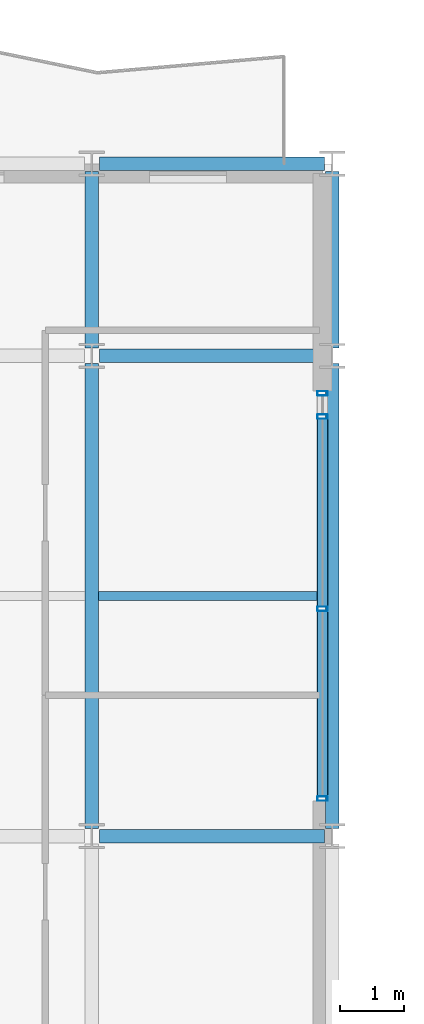
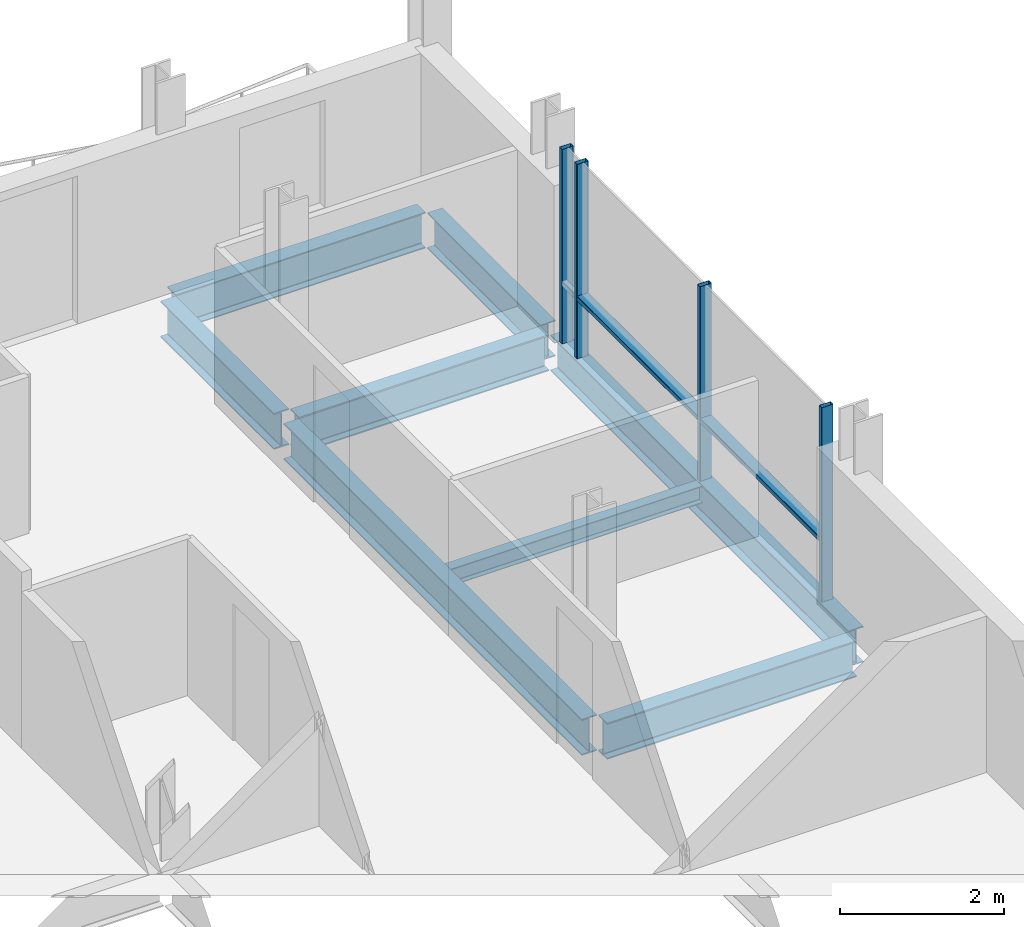
# One storey, part 8 of 28: 8 beams, 6 members, 1 element without a shape of its own.
"""IFC4 building model written with IfcOpenShell, lengths in metres."""

import ifcopenshell
import ifcopenshell.guid

model = None  # the IFC model being written
_history = None  # IfcOwnerHistory: only IFC2X3 demands one
_inside = {}  # id of a spatial element -> (the spatial element, [elements in it])
_under = {}  # id of a project, library or spatial element -> (it, [spatial elements below it])
_declared = {}  # id of a project -> (the project, [libraries it declares])
_typed = {}  # id of a type object -> (the type object, [elements of that type])
_made_of = {}  # id of a material, layer set ... -> (it, [elements and type objects made of it])


def new_model(schema):
    """Start an empty IFC model of exactly this schema.

    Asked for "IFC4X3", IfcOpenShell would pick the latest addendum, in which some entities
    have other attributes; the version numbers below select the first issue.
    IFC2X3 requires an IfcOwnerHistory on every rooted entity: one is made here for all.
    """
    global model, _history
    if schema == "IFC4X3":
        model = ifcopenshell.file(schema_version=(4, 3, 0, 0))
    else:
        model = ifcopenshell.file(schema=schema)
    _inside.clear()
    _under.clear()
    _declared.clear()
    _typed.clear()
    _made_of.clear()
    _history = None
    if model.schema == "IFC2X3":
        org = make("IfcOrganization", Name="unknown")
        user = make(
            "IfcPersonAndOrganization",
            ThePerson=make("IfcPerson", FamilyName="unknown"),
            TheOrganization=org,
        )
        app = make(
            "IfcApplication",
            ApplicationDeveloper=org,
            Version="unknown",
            ApplicationFullName="unknown",
            ApplicationIdentifier="unknown",
        )
        _history = make(
            "IfcOwnerHistory",
            OwningUser=user,
            OwningApplication=app,
            ChangeAction="ADDED",
            CreationDate=0,
        )
    return model


def make(cls, **values):
    """One entity of the class cls with the attributes given. An attribute that is None is left unset."""
    return model.create_entity(
        cls, **{name: value for name, value in values.items() if value is not None}
    )


def rooted(cls, **values):
    """An entity with a GlobalId (a new one), such as an element, a storey or a relation."""
    return make(cls, GlobalId=ifcopenshell.guid.new(), OwnerHistory=_history, **values)


def si_unit(unit_type, name, prefix=None):
    """IfcSIUnit, for example si_unit("LENGTHUNIT", "METRE", prefix="MILLI")."""
    return make("IfcSIUnit", UnitType=unit_type, Prefix=prefix, Name=name)


def assignment(units):
    """IfcUnitAssignment: the units of a project."""
    return None if units is None else make("IfcUnitAssignment", Units=units)


def point(xyz):
    """IfcCartesianPoint."""
    return None if xyz is None else make("IfcCartesianPoint", Coordinates=xyz)


def direction(xyz):
    """IfcDirection."""
    return None if xyz is None else make("IfcDirection", DirectionRatios=xyz)


def frame(location, z_axis=None, x_axis=None):
    """IfcAxis2Placement3D, a coordinate frame: its origin and axes. An axis left out is left unset."""
    return make(
        "IfcAxis2Placement3D",
        Location=point(location),
        Axis=direction(z_axis),
        RefDirection=direction(x_axis),
    )


def frame_2d(location, x_axis=None):
    """IfcAxis2Placement2D, a coordinate frame in the plane: its origin and x axis."""
    return make(
        "IfcAxis2Placement2D", Location=point(location), RefDirection=direction(x_axis)
    )


def origin():
    """The frame at (0, 0, 0) with its axes left unset."""
    return frame((0.0, 0.0, 0.0))


def origin_2d():
    """The frame at (0, 0) in the plane with its x axis left unset."""
    return frame_2d((0.0, 0.0))


def place(relative_to, where):
    """IfcLocalPlacement: puts the frame where relative to a parent placement (None: the world)."""
    return make(
        "IfcLocalPlacement", PlacementRelTo=relative_to, RelativePlacement=where
    )


def context(
    kind, dimensions, precision=None, world=None, true_north=None, identifier=None
):
    """IfcGeometricRepresentationContext, for example the 3D "Model" context."""
    return make(
        "IfcGeometricRepresentationContext",
        ContextIdentifier=identifier,
        ContextType=kind,
        CoordinateSpaceDimension=dimensions,
        Precision=precision,
        WorldCoordinateSystem=world,
        TrueNorth=true_north,
    )


def subcontext(parent, identifier, kind, view, scale=None):
    """IfcGeometricRepresentationSubContext, for example "Body" below "Model"."""
    return make(
        "IfcGeometricRepresentationSubContext",
        ContextIdentifier=identifier,
        ContextType=kind,
        ParentContext=parent,
        TargetScale=scale,
        TargetView=view,
    )


def project(units=None, contexts=None):
    """IfcProject with its units and contexts."""
    return rooted(
        "IfcProject",
        Name="project",
        RepresentationContexts=contexts,
        UnitsInContext=assignment(units),
    )


def spatial(cls, under=None, at=None, **own):
    """A site, building, storey or space (cls), placed at a placement, below another one or the project."""
    s = rooted(cls, ObjectPlacement=at, **own)
    if under is not None:
        _under.setdefault(under.id(), (under, []))[1].append(s)
    return s


def profile(cls, at=None, kind="AREA", **sizes):
    """A parametric profile (cls). Its sizes go by their IFC names, for example OverallWidth=200.0."""
    return make(cls, ProfileType=kind, Position=at, **sizes)


def hollow_rectangle(**sizes):
    """IfcRectangleHollowProfileDef."""
    return profile("IfcRectangleHollowProfileDef", **sizes)


def i_section(**sizes):
    """IfcIShapeProfileDef."""
    return profile("IfcIShapeProfileDef", **sizes)


def extrude(swept, where, along, depth):
    """IfcExtrudedAreaSolid: the profile swept, set in the frame where, extruded along a direction by depth."""
    return make(
        "IfcExtrudedAreaSolid",
        SweptArea=swept,
        Position=where,
        ExtrudedDirection=direction(along),
        Depth=depth,
    )


def shape(context_of_items, identifier, shape_type, items):
    """IfcShapeRepresentation: the items that make up one representation, for example the "Body"."""
    return make(
        "IfcShapeRepresentation",
        ContextOfItems=context_of_items,
        RepresentationIdentifier=identifier,
        RepresentationType=shape_type,
        Items=items,
    )


def material(Name=None, Category=None):
    """IfcMaterial."""
    return make("IfcMaterial", Name=Name, Category=Category)


def layer(
    of_material, thickness, ventilated=None, Name=None, Category=None, Priority=None
):
    """IfcMaterialLayer: one layer of a wall or slab, of a material (None: an air gap)."""
    return make(
        "IfcMaterialLayer",
        Material=of_material,
        LayerThickness=thickness,
        IsVentilated=ventilated,
        Name=Name,
        Category=Category,
        Priority=Priority,
    )


def layer_set(layers, Name=None):
    """IfcMaterialLayerSet."""
    return make("IfcMaterialLayerSet", MaterialLayers=layers, LayerSetName=Name)


def material_profile(
    of_material, cross_section, Name=None, Category=None, Priority=None
):
    """IfcMaterialProfile: a cross section and its material."""
    return make(
        "IfcMaterialProfile",
        Name=Name,
        Material=of_material,
        Profile=cross_section,
        Priority=Priority,
        Category=Category,
    )


def profile_set(profiles, Name=None, composite=None):
    """IfcMaterialProfileSet."""
    return make(
        "IfcMaterialProfileSet",
        Name=Name,
        MaterialProfiles=profiles,
        CompositeProfile=composite,
    )


def made_of(thing, what):
    """Note that an element or type object is made of a material, layer set ...; save() writes the relation."""
    if what is not None:
        _made_of.setdefault(what.id(), (what, []))[1].append(thing)
    return thing


def type_object(cls, material=None, **own):
    """A type object (cls), such as IfcWallType, which elements share."""
    return made_of(rooted(cls, **own), material)


def element(
    cls,
    number,
    at=None,
    inside=None,
    cuts=None,
    type_object=None,
    material=None,
    context=None,
    identifier="Body",
    shape_type=None,
    held_by="IfcProductDefinitionShape",
    body=None,
    shapes=None,
    **own,
):
    """One element of the class cls, such as IfcWall. Its Tag is "e" and its number.

    at: its placement. inside: the storey or other place that contains it. cuts: it is an
    opening in that element (IfcRelVoidsElement). A single representation is given by context,
    identifier, shape_type and body (its items); several are given by shapes. held_by: the class
    of the entity that holds the representations. save() writes the other relations.
    """
    e = rooted(cls, Tag="e%d" % number, ObjectPlacement=at, **own)
    if body is not None:
        shapes = [shape(context, identifier, shape_type, body)]
    if shapes is not None:
        e.Representation = make(held_by, Representations=shapes)
    if inside is not None:
        _inside.setdefault(inside.id(), (inside, []))[1].append(e)
    if cuts is not None:
        rooted(
            "IfcRelVoidsElement", RelatingBuildingElement=cuts, RelatedOpeningElement=e
        )
    if type_object is not None:
        _typed.setdefault(type_object.id(), (type_object, []))[1].append(e)
    return made_of(e, material)


def aggregate(whole, parts):
    """IfcRelAggregates: a whole, such as a stair, and the parts it consists of."""
    return rooted("IfcRelAggregates", RelatingObject=whole, RelatedObjects=parts)


def save(model, path):
    """Write the relations noted so far, then the file.

    IfcRelAggregates (storeys below a building ...), IfcRelContainedInSpatialStructure (elements
    in a storey), IfcRelDefinesByType, IfcRelAssociatesMaterial and IfcRelDeclares: one each for
    every whole, place, type object, material and project.
    """
    for whole, parts in _under.values():
        aggregate(whole, parts)
    for where, things in _inside.values():
        rooted(
            "IfcRelContainedInSpatialStructure",
            RelatedElements=things,
            RelatingStructure=where,
        )
    for kind, things in _typed.values():
        rooted("IfcRelDefinesByType", RelatedObjects=things, RelatingType=kind)
    for what, things in _made_of.values():
        rooted("IfcRelAssociatesMaterial", RelatedObjects=things, RelatingMaterial=what)
    for by, libraries in _declared.values():
        rooted("IfcRelDeclares", RelatingContext=by, RelatedDefinitions=libraries)
    model.write(path)


model = new_model("IFC4")

# Units and contexts
model_context = context("Model", 3, precision=1e-05, world=origin(), true_north=direction((0.0, 1.0)))
body_context = subcontext(model_context, "Body", "Model", "MODEL_VIEW")
ifc_project = project(units=[si_unit("LENGTHUNIT", "METRE"), si_unit("AREAUNIT", "SQUARE_METRE"), si_unit("VOLUMEUNIT", "CUBIC_METRE"), si_unit("PLANEANGLEUNIT", "RADIAN"), si_unit("MASSUNIT", "GRAM", prefix="KILO")], contexts=[model_context])

# Site, building, storey
site_placement = place(None, origin())
site = spatial("IfcSite", under=ifc_project, at=site_placement, CompositionType="ELEMENT")
building_placement = place(site_placement, origin())
building = spatial("IfcBuilding", under=site, at=building_placement, Name="Brevholm Reach", CompositionType="ELEMENT")
storey_placement = place(building_placement, frame((0.0, 0.0, 192.5)))
storey = spatial("IfcBuildingStorey", under=building, at=storey_placement, Name="L58", CompositionType="ELEMENT", Elevation=192.5)

# Beams
ifc_material_1 = material(Name="Structural Steel S355J2", Category="steel")
ifc_material_profile_1 = material_profile(ifc_material_1, i_section(OverallWidth=0.14599609375, OverallDepth=0.25146484375, WebThickness=0.006103515625, FlangeThickness=0.008544921875, FilletRadius=0.007568359375, at=origin_2d()), Name="UKB 254x146x31")
ifc_profile_set_1 = profile_set([ifc_material_profile_1], Name="Structural Steel S355J2")
beam_type_1 = type_object("IfcBeamType", Name="BM-B254", PredefinedType="BEAM", material=ifc_profile_set_1)
beam_1_placement = place(storey_placement, frame((18.10546875, 19.75, -0.335693359375), z_axis=(1.0, 0.0, 0.0), x_axis=(0.0, 1.0, 0.0)))
element("IfcBeam", 1, at=beam_1_placement, inside=storey, type_object=beam_type_1, Name="L58 Composite Secondary Floor Beam", PredefinedType="BEAM", context=body_context, shape_type="SweptSolid", body=[
    extrude(i_section(OverallWidth=0.14599609375, OverallDepth=0.25146484375, WebThickness=0.006103515625, FlangeThickness=0.008544921875, FilletRadius=0.007568359375, at=origin_2d()), origin(), (0.0, 0.0, 1.0), 3.539794921875),
])
ifc_material_2 = material(Name="Structural Steel S355J2", Category="steel")
ifc_material_profile_2 = material_profile(ifc_material_2, i_section(OverallWidth=0.209228515625, OverallDepth=0.533203125, WebThickness=0.010009765625, FlangeThickness=0.015625, FilletRadius=0.0126953125, at=origin_2d()), Name="UKB 533x210x92")
ifc_profile_set_2 = profile_set([ifc_material_profile_2], Name="Structural Steel S355J2")
beam_type_2 = type_object("IfcBeamType", Name="BM-SP533", PredefinedType="SPANDREL", material=ifc_profile_set_2)
beam_2_placement = place(storey_placement, frame((18.1201171875, 26.5, -0.4765625), z_axis=(1.0, 0.0, 0.0), x_axis=(0.0, 1.0, 0.0)))
element("IfcBeam", 2, at=beam_2_placement, inside=storey, type_object=beam_type_2, Name="L58 SP-02 Framing Beam", PredefinedType="SPANDREL", context=body_context, shape_type="SweptSolid", body=[
    extrude(i_section(OverallWidth=0.209228515625, OverallDepth=0.533203125, WebThickness=0.010009765625, FlangeThickness=0.015625, FilletRadius=0.0126953125, at=origin_2d()), origin(), (0.0, 0.0, 1.0), 3.509765625),
])
beam_3_placement = place(storey_placement, frame((21.75, 16.1201171875, -0.4765625), z_axis=(0.0, 1.0, 0.0), x_axis=(-1.0, 0.0, 0.0)))
element("IfcBeam", 3, at=beam_3_placement, inside=storey, type_object=beam_type_2, Name="L58 SP-02 Framing Beam", PredefinedType="SPANDREL", context=body_context, shape_type="SweptSolid", body=[
    extrude(i_section(OverallWidth=0.209228515625, OverallDepth=0.533203125, WebThickness=0.010009765625, FlangeThickness=0.015625, FilletRadius=0.0126953125, at=origin_2d()), origin(), (0.0, 0.0, 1.0), 7.259765625),
])
beam_4_placement = place(storey_placement, frame((21.75, 23.6201171875, -0.4765625), z_axis=(0.0, 1.0, 0.0), x_axis=(-1.0, 0.0, 0.0)))
element("IfcBeam", 4, at=beam_4_placement, inside=storey, type_object=beam_type_2, Name="L58 SP-02 Framing Beam", PredefinedType="SPANDREL", context=body_context, shape_type="SweptSolid", body=[
    extrude(i_section(OverallWidth=0.209228515625, OverallDepth=0.533203125, WebThickness=0.010009765625, FlangeThickness=0.015625, FilletRadius=0.0126953125, at=origin_2d()), origin(), (0.0, 0.0, 1.0), 2.759765625),
])
ifc_material_3 = material(Name="Structural Steel S355J2", Category="steel")
ifc_material_profile_3 = material_profile(ifc_material_3, i_section(OverallWidth=0.210693359375, OverallDepth=0.53955078125, WebThickness=0.01171875, FlangeThickness=0.018798828125, FilletRadius=0.0126953125, at=origin_2d()), Name="UKB 533x210x109")
ifc_profile_set_3 = profile_set([ifc_material_profile_3], Name="Structural Steel S355J2")
beam_type_3 = type_object("IfcBeamType", Name="BM-SP539", PredefinedType="SPANDREL", material=ifc_profile_set_3)
for number, where, z_axis, x_axis, name in (
    (5, (18.1201171875, 16.0, -0.479736328125), (1.0, 0.0, 0.0), (0.0, 1.0, 0.0), "L58 SP-01B Framing Beam"),
    (6, (18.1201171875, 23.5, -0.479736328125), (1.0, 0.0, 0.0), (0.0, 1.0, 0.0), "L58 SP-01B Framing Beam"),
):
    element("IfcBeam", number, at=place(storey_placement, frame(where, z_axis=z_axis, x_axis=x_axis)), inside=storey, type_object=beam_type_3, Name=name, PredefinedType="SPANDREL", context=body_context, shape_type="SweptSolid", body=[
        extrude(i_section(OverallWidth=0.210693359375, OverallDepth=0.53955078125, WebThickness=0.01171875, FlangeThickness=0.018798828125, FilletRadius=0.0126953125, at=origin_2d()), origin(), (0.0, 0.0, 1.0), 3.509765625),
    ])
beam_5_placement = place(storey_placement, frame((18.0, 16.1201171875, -0.479736328125), z_axis=(0.0, 1.0, 0.0), x_axis=(-1.0, 0.0, 0.0)))
element("IfcBeam", 7, at=beam_5_placement, inside=storey, type_object=beam_type_3, Name="L58 SP-01B Framing Beam", PredefinedType="SPANDREL", context=body_context, shape_type="SweptSolid", body=[
    extrude(i_section(OverallWidth=0.210693359375, OverallDepth=0.53955078125, WebThickness=0.01171875, FlangeThickness=0.018798828125, FilletRadius=0.0126953125, at=origin_2d()), origin(), (0.0, 0.0, 1.0), 7.259765625),
])
beam_6_placement = place(storey_placement, frame((18.0, 23.6201171875, -0.479736328125), z_axis=(0.0, 1.0, 0.0), x_axis=(-1.0, 0.0, 0.0)))
element("IfcBeam", 8, at=beam_6_placement, inside=storey, type_object=beam_type_3, Name="L58 SP-01B Framing Beam", PredefinedType="SPANDREL", context=body_context, shape_type="SweptSolid", body=[
    extrude(i_section(OverallWidth=0.210693359375, OverallDepth=0.53955078125, WebThickness=0.01171875, FlangeThickness=0.018798828125, FilletRadius=0.0126953125, at=origin_2d()), origin(), (0.0, 0.0, 1.0), 2.759765625),
])

# Curtain wall, members
ifc_material_4 = material(Name="Dark Anodised Aluminium 6063-T6 and Solar-Control Glass", Category="aluminium")
ifc_layer = layer(ifc_material_4, 0.1650390625)
ifc_layer_set = layer_set([ifc_layer], Name="Dark Anodised Aluminium 6063-T6 and Solar-Control Glass")
curtain_wall_type = type_object("IfcCurtainWallType", Name="CW-04", PredefinedType="NOTDEFINED", material=ifc_layer_set)
curtain_wall_placement = place(storey_placement, origin())
curtain_wall = element("IfcCurtainWall", 9, at=curtain_wall_placement, inside=storey, type_object=curtain_wall_type, Name="L58 Curtain Wall CW-04", PredefinedType="NOTDEFINED")
ifc_material_5 = material(Name="Dark Anodised Aluminium 6063-T6", Category="aluminium")
ifc_material_profile_4 = material_profile(ifc_material_5, hollow_rectangle(XDim=0.070068359375, YDim=0.1650390625, WallThickness=0.0048828125, InnerFilletRadius=0.0048828125, OuterFilletRadius=0.010009765625, at=origin_2d()), Name="RHS 165x70x5")
ifc_profile_set_4 = profile_set([ifc_material_profile_4], Name="Dark Anodised Aluminium 6063-T6")
member_type_1 = type_object("IfcMemberType", Name="CWM-165", PredefinedType="MULLION", material=ifc_profile_set_4)
member_1_placement = place(storey_placement, frame((21.60009765625, 16.5849609375, 0.0), z_axis=(0.0, 0.0, 1.0), x_axis=(0.0, 1.0, 0.0)))
member_1 = element("IfcMember", 10, at=member_1_placement, type_object=member_type_1, Name="CM-165 Mullion 1", PredefinedType="MULLION", context=body_context, shape_type="SweptSolid", body=[
    extrude(hollow_rectangle(XDim=0.070068359375, YDim=0.1650390625, WallThickness=0.0048828125, InnerFilletRadius=0.0048828125, OuterFilletRadius=0.010009765625, at=origin_2d()), origin(), (0.0, 0.0, 1.0), 2.889892578125),
])
member_2_placement = place(storey_placement, frame((21.60009765625, 19.550048828125, 0.0), z_axis=(0.0, 0.0, 1.0), x_axis=(0.0, 1.0, 0.0)))
member_2 = element("IfcMember", 11, at=member_2_placement, type_object=member_type_1, Name="CM-165 Mullion 2", PredefinedType="MULLION", context=body_context, shape_type="SweptSolid", body=[
    extrude(hollow_rectangle(XDim=0.070068359375, YDim=0.1650390625, WallThickness=0.0048828125, InnerFilletRadius=0.0048828125, OuterFilletRadius=0.010009765625, at=origin_2d()), origin(), (0.0, 0.0, 1.0), 2.889892578125),
])
member_3_placement = place(storey_placement, frame((21.60009765625, 22.550048828125, 0.0), z_axis=(0.0, 0.0, 1.0), x_axis=(0.0, 1.0, 0.0)))
member_3 = element("IfcMember", 12, at=member_3_placement, type_object=member_type_1, Name="CM-165 Mullion 3", PredefinedType="MULLION", context=body_context, shape_type="SweptSolid", body=[
    extrude(hollow_rectangle(XDim=0.070068359375, YDim=0.1650390625, WallThickness=0.0048828125, InnerFilletRadius=0.0048828125, OuterFilletRadius=0.010009765625, at=origin_2d()), origin(), (0.0, 0.0, 1.0), 2.889892578125),
])
member_4_placement = place(storey_placement, frame((21.60009765625, 22.9150390625, 0.0), z_axis=(0.0, 0.0, 1.0), x_axis=(0.0, 1.0, 0.0)))
member_4 = element("IfcMember", 13, at=member_4_placement, type_object=member_type_1, Name="CM-165 Mullion 4", PredefinedType="MULLION", context=body_context, shape_type="SweptSolid", body=[
    extrude(hollow_rectangle(XDim=0.070068359375, YDim=0.1650390625, WallThickness=0.0048828125, InnerFilletRadius=0.0048828125, OuterFilletRadius=0.010009765625, at=origin_2d()), origin(), (0.0, 0.0, 1.0), 2.889892578125),
])
ifc_material_6 = material(Name="Dark Anodised Aluminium 6063-T6", Category="aluminium")
ifc_material_profile_5 = material_profile(ifc_material_6, hollow_rectangle(XDim=0.070068359375, YDim=0.1650390625, WallThickness=0.0048828125, InnerFilletRadius=0.0048828125, OuterFilletRadius=0.010009765625, at=origin_2d()), Name="RHS 165x70x5")
ifc_profile_set_5 = profile_set([ifc_material_profile_5], Name="Dark Anodised Aluminium 6063-T6")
member_type_2 = type_object("IfcMemberType", Name="CWT-165", PredefinedType="NOTDEFINED", material=ifc_profile_set_5)
member_5_placement = place(storey_placement, frame((21.60009765625, 16.6201171875, 0.89990234375), z_axis=(0.0, 1.0, 0.0), x_axis=(0.0, 0.0, 1.0)))
member_5 = element("IfcMember", 14, at=member_5_placement, type_object=member_type_2, Name="CT-165 Transom 1.1", ObjectType="TRANSOM", PredefinedType="USERDEFINED", context=body_context, shape_type="SweptSolid", body=[
    extrude(hollow_rectangle(XDim=0.070068359375, YDim=0.1650390625, WallThickness=0.0048828125, InnerFilletRadius=0.0048828125, OuterFilletRadius=0.010009765625, at=origin_2d()), origin(), (0.0, 0.0, 1.0), 2.894775390625),
])
member_6_placement = place(storey_placement, frame((21.60009765625, 19.5849609375, 0.89990234375), z_axis=(0.0, 1.0, 0.0), x_axis=(0.0, 0.0, 1.0)))
member_6 = element("IfcMember", 15, at=member_6_placement, type_object=member_type_2, Name="CT-165 Transom 2.1", ObjectType="TRANSOM", PredefinedType="USERDEFINED", context=body_context, shape_type="SweptSolid", body=[
    extrude(hollow_rectangle(XDim=0.070068359375, YDim=0.1650390625, WallThickness=0.0048828125, InnerFilletRadius=0.0048828125, OuterFilletRadius=0.010009765625, at=origin_2d()), origin(), (0.0, 0.0, 1.0), 2.929931640625),
])
aggregate(curtain_wall, [member_1, member_2, member_3, member_4, member_5, member_6])

save(model, "model.ifc")
